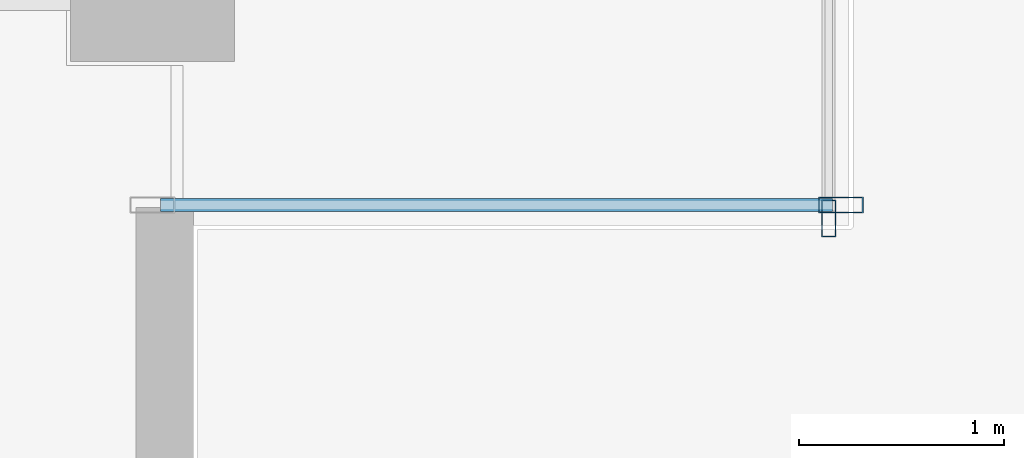
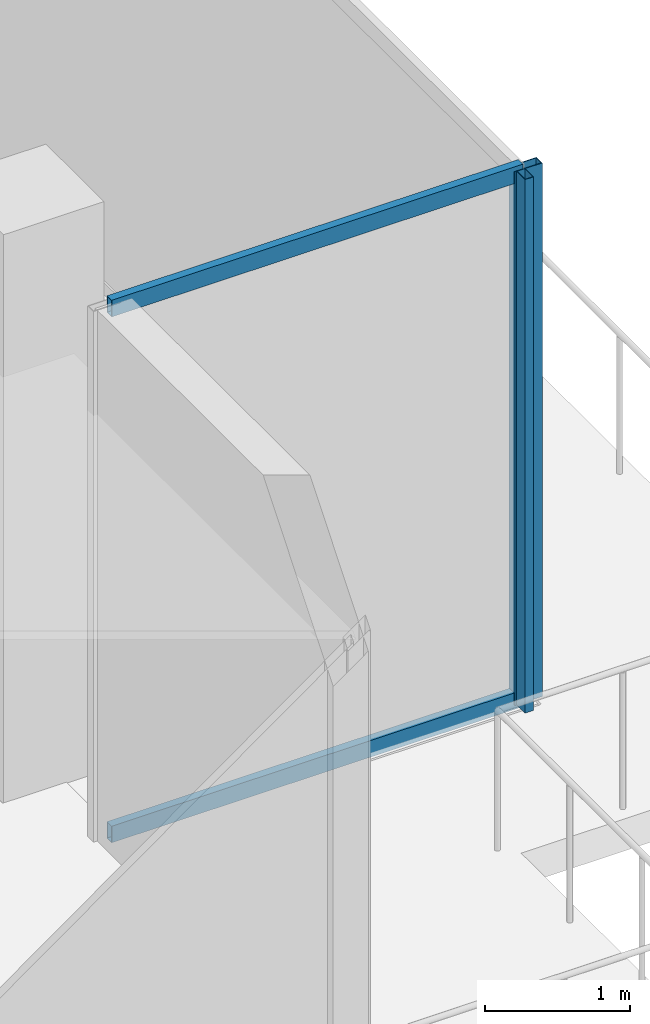
# One storey, part 22 of 37: 4 members, 2 elements without a shape of their own.
"""IFC4 building model written with IfcOpenShell, lengths in metres."""

from ifc_helpers import new_model, si_unit, direction, frame, origin, origin_2d, place, context, subcontext, project, spatial, hollow_rectangle, extrude, source, transform, mapped, material, layer, layer_set, material_profile, profile_set, type_object, type_shapes, element, aggregate, save


model = new_model("IFC4")

# Units and contexts
model_context = context("Model", 3, precision=1e-05, world=origin(), true_north=direction((0.0, 1.0)))
body_context = subcontext(model_context, "Body", "Model", "MODEL_VIEW")
ifc_project = project(units=[si_unit("LENGTHUNIT", "METRE"), si_unit("AREAUNIT", "SQUARE_METRE"), si_unit("VOLUMEUNIT", "CUBIC_METRE"), si_unit("PLANEANGLEUNIT", "RADIAN"), si_unit("MASSUNIT", "GRAM", prefix="KILO")], contexts=[model_context])

# Site, building, storey
site_placement = place(None, origin())
site = spatial("IfcSite", under=ifc_project, at=site_placement, CompositionType="ELEMENT")
building_placement = place(site_placement, origin())
building = spatial("IfcBuilding", under=site, at=building_placement, Name="Haelvirn Gate Laboratories", CompositionType="ELEMENT")
storey_placement = place(building_placement, frame((0.0, 0.0, 196.60009765625)))
storey = spatial("IfcBuildingStorey", under=building, at=storey_placement, Name="L47", CompositionType="ELEMENT", Elevation=196.60009765625)

# Curtain wall, member
ifc_material_1 = material(Name="Anodised bronze unitised aluminium & triple low-E glass", Category="aluminium")
ifc_layer_1 = layer(ifc_material_1, 0.176025390625, Name="CW-SYS-4")
ifc_layer_set_1 = layer_set([ifc_layer_1], Name="Anodised bronze unitised aluminium & triple low-E glass")
curtain_wall_type_1 = type_object("IfcCurtainWallType", Name="CW-SYS-4", PredefinedType="NOTDEFINED", material=ifc_layer_set_1)
curtain_wall_1_placement = place(storey_placement, origin())
curtain_wall_1 = element("IfcCurtainWall", 1, at=curtain_wall_1_placement, inside=storey, type_object=curtain_wall_type_1, Name="L47 Unitised Curtain Wall CW-L47-P0-E07", PredefinedType="NOTDEFINED")
ifc_material_2 = material(Name="Extruded aluminium 6063-T6 (anodised bronze)", Category="aluminium")
ifc_material_profile_1 = material_profile(ifc_material_2, hollow_rectangle(XDim=0.070068359375, YDim=0.179931640625, WallThickness=0.0048828125, at=origin_2d()), Name="CWM-180x70x5")
ifc_profile_set_1 = profile_set([ifc_material_profile_1], Name="Extruded aluminium 6063-T6 (anodised bronze)")
member_type_1 = type_object("IfcMemberType", Name="CWM-T180", PredefinedType="MULLION", material=ifc_profile_set_1)
shared_shape_1 = source(origin(), body_context, "Body", "SweptSolid", [
    extrude(hollow_rectangle(XDim=0.070068359375, YDim=0.179931640625, WallThickness=0.0048828125, at=origin_2d()), origin(), (0.0, 0.0, 1.0), 4.5),
])
type_shapes(member_type_1, [shared_shape_1])
member_1_placement = place(storey_placement, frame((70.699951171875, 5.8349609375, 0.0), z_axis=(0.0, 0.0, 1.0), x_axis=(-1.0, 0.0, 0.0)))
member_1 = element("IfcMember", 2, at=member_1_placement, type_object=member_type_1, Name="CW4 mullion 1", PredefinedType="MULLION", context=body_context, shape_type="MappedRepresentation", body=[
    mapped(shared_shape_1, transform((0.0, 0.0, 0.0), scale=1.0)),
])
aggregate(curtain_wall_1, [member_1])

# Curtain wall, members
ifc_layer_2 = layer(ifc_material_1, 0.181884765625, Name="CW-SYS-5")
ifc_layer_set_2 = layer_set([ifc_layer_2], Name="Anodised bronze unitised aluminium & triple low-E glass")
curtain_wall_type_2 = type_object("IfcCurtainWallType", Name="CW-SYS-5", PredefinedType="NOTDEFINED", material=ifc_layer_set_2)
curtain_wall_2_placement = place(storey_placement, origin())
curtain_wall_2 = element("IfcCurtainWall", 3, at=curtain_wall_2_placement, inside=storey, type_object=curtain_wall_type_2, Name="L47 Unitised Curtain Wall CW-L47-P0-E06-1", PredefinedType="NOTDEFINED")
ifc_material_profile_2 = material_profile(ifc_material_2, hollow_rectangle(XDim=0.080078125, YDim=0.219970703125, WallThickness=0.006103515625, at=origin_2d()), Name="CWM-220x80x6")
ifc_profile_set_2 = profile_set([ifc_material_profile_2], Name="Extruded aluminium 6063-T6 (anodised bronze)")
member_type_2 = type_object("IfcMemberType", Name="CWM-T220", PredefinedType="MULLION", material=ifc_profile_set_2)
shared_shape_2 = source(origin(), body_context, "Body", "SweptSolid", [
    extrude(hollow_rectangle(XDim=0.080078125, YDim=0.219970703125, WallThickness=0.006103515625, at=origin_2d()), origin(), (0.0, 0.0, 1.0), 4.5),
])
type_shapes(member_type_2, [shared_shape_2])
member_2_placement = place(storey_placement, frame((70.760009765625, 5.89990234375, 0.0), z_axis=(0.0, 0.0, 1.0), x_axis=(0.0, 1.0, 0.0)))
member_2 = element("IfcMember", 4, at=member_2_placement, type_object=member_type_2, Name="CW5 mullion 2", PredefinedType="MULLION", context=body_context, shape_type="MappedRepresentation", body=[
    mapped(shared_shape_2, transform((0.0, 0.0, 0.0), scale=1.0)),
])
ifc_material_profile_3 = material_profile(ifc_material_2, hollow_rectangle(XDim=0.06494140625, YDim=0.139892578125, WallThickness=0.00390625, at=origin_2d()), Name="CWT-140x65x4")
ifc_profile_set_3 = profile_set([ifc_material_profile_3], Name="Extruded aluminium 6063-T6 (anodised bronze)")
member_type_3 = type_object("IfcMemberType", Name="CWT-T140", PredefinedType="USERDEFINED", material=ifc_profile_set_3)
shared_shape_3 = source(origin(), body_context, "Body", "SweptSolid", [
    extrude(hollow_rectangle(XDim=0.06494140625, YDim=0.139892578125, WallThickness=0.00390625, at=origin_2d()), origin(), (0.0, 0.0, 1.0), 3.280029296875),
])
type_shapes(member_type_3, [shared_shape_3])
member_3_placement = place(storey_placement, frame((67.43994140625, 5.89990234375, 0.032470703125), z_axis=(1.0, 0.0, 0.0), x_axis=(0.0, 1.0, 0.0)))
member_3 = element("IfcMember", 5, at=member_3_placement, type_object=member_type_3, Name="CW5 transom 1.1", ObjectType="TRANSOM", PredefinedType="USERDEFINED", context=body_context, shape_type="MappedRepresentation", body=[
    mapped(shared_shape_3, transform((0.0, 0.0, 0.0), scale=1.0)),
])
member_4_placement = place(storey_placement, frame((67.43994140625, 5.89990234375, 4.46728515625), z_axis=(1.0, 0.0, 0.0), x_axis=(0.0, 1.0, 0.0)))
member_4 = element("IfcMember", 6, at=member_4_placement, type_object=member_type_3, Name="CW5 transom 1.2", ObjectType="TRANSOM", PredefinedType="USERDEFINED", context=body_context, shape_type="MappedRepresentation", body=[
    mapped(shared_shape_3, transform((0.0, 0.0, 0.0), scale=1.0)),
])
aggregate(curtain_wall_2, [member_2, member_3, member_4])

save(model, "model.ifc")
